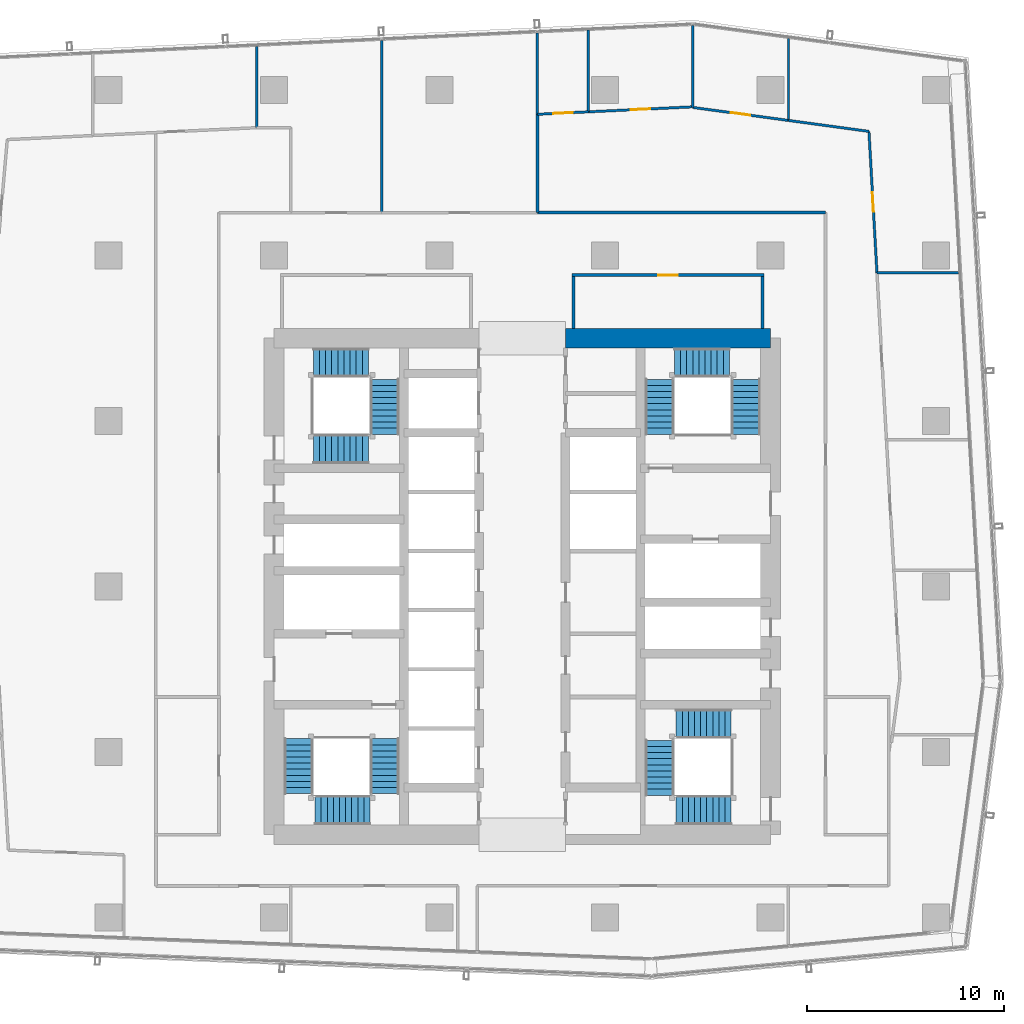
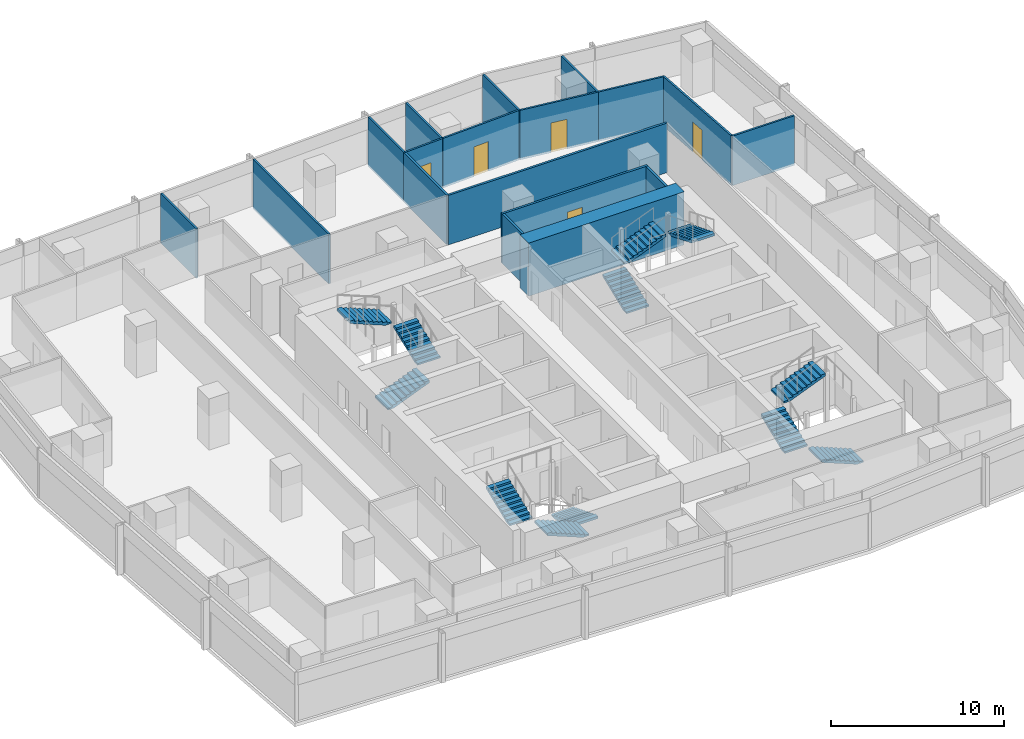
# One storey, part 30 of 38: 18 walls, 12 stair flights, 5 doors, 5 openings, 4 elements without a shape of their own.
"""IFC4 building model written with IfcOpenShell, lengths in metres."""

from ifc_helpers import new_model, si_unit, direction, frame, frame_2d, origin, place, context, subcontext, project, spatial, polyline, rectangle, outline, extrude, material, layer, layer_set, type_object, element, fill, aggregate, save


model = new_model("IFC4")

# Units and contexts
model_context = context("Model", 3, precision=1e-05, world=origin(), true_north=direction((0.0, 1.0)))
body_context = subcontext(model_context, "Body", "Model", "MODEL_VIEW")
ifc_project = project(units=[si_unit("LENGTHUNIT", "METRE"), si_unit("AREAUNIT", "SQUARE_METRE"), si_unit("VOLUMEUNIT", "CUBIC_METRE"), si_unit("PLANEANGLEUNIT", "RADIAN"), si_unit("MASSUNIT", "GRAM", prefix="KILO")], contexts=[model_context])

# Site, building, storey
site_placement = place(None, origin())
site = spatial("IfcSite", under=ifc_project, at=site_placement, CompositionType="ELEMENT")
building_placement = place(site_placement, origin())
building = spatial("IfcBuilding", under=site, at=building_placement, Name="Rekha Terrace Tower", CompositionType="ELEMENT")
storey_placement = place(building_placement, frame((0.0, 0.0, 198.949951171875)))
storey = spatial("IfcBuildingStorey", under=building, at=storey_placement, Name="L50", CompositionType="ELEMENT", Elevation=198.949951171875)

# Wall
ifc_material_1 = material(Name="Concrete M60", Category="concrete")
ifc_layer_1 = layer(ifc_material_1, 1.0)
ifc_layer_set_1 = layer_set([ifc_layer_1], Name="Concrete M60")
wall_type_1 = type_object("IfcWallType", Name="SW3 1000 core outer shear wall", PredefinedType="SHEAR", material=ifc_layer_set_1)
wall_1_placement = place(storey_placement, frame((40.0, 46.199951171875, 0.0), z_axis=(0.0, 0.0, 1.0), x_axis=(1.0, 0.0, 0.0)))
element("IfcWall", 1, at=wall_1_placement, inside=storey, type_object=wall_type_1, Name="Core wall N2 L50", PredefinedType="SHEAR", context=body_context, shape_type="SweptSolid", body=[
    extrude(rectangle(XDim=10.39990234375, YDim=1.0, at=frame_2d((5.199951171875, 0.0))), origin(), (0.0, 0.0, 1.0), 3.75),
])

# Wall, opening, door
ifc_material_2 = material(Name="Concrete block masonry, 1 hour", Category="masonry")
ifc_layer_2 = layer(ifc_material_2, 0.14990234375)
ifc_layer_set_2 = layer_set([ifc_layer_2], Name="Concrete block masonry, 1 hour")
wall_type_2 = type_object("IfcWallType", Name="WP2 150 tenancy partition", PredefinedType="PARTITIONING", material=ifc_layer_set_2)
wall_2_placement = place(storey_placement, frame((40.324951171875, 49.39990234375, 0.0), z_axis=(0.0, 0.0, 1.0), x_axis=(1.0, 0.0, 0.0)))
wall_2 = element("IfcWall", 2, at=wall_2_placement, inside=storey, type_object=wall_type_2, Name="Women's WC wall L50", PredefinedType="PARTITIONING", context=body_context, shape_type="SweptSolid", body=[
    extrude(rectangle(XDim=9.75, YDim=0.14990234375, at=frame_2d((4.875, 0.0))), origin(), (0.0, 0.0, 1.0), 3.5),
])
opening_1_placement = place(wall_2_placement, frame((4.375, 0.0, 0.0)))
opening_1 = element("IfcOpeningElement", 3, at=opening_1_placement, cuts=wall_2, Name="Opening D3", PredefinedType="OPENING", context=body_context, shape_type="SweptSolid", body=[
    extrude(rectangle(XDim=1.0, YDim=2.10009765625, at=frame_2d((0.5, 1.050048828125))), frame((0.0, 0.0849609375, 0.0), z_axis=(0.0, -1.0, 0.0), x_axis=(1.0, 0.0, 0.0)), (0.0, 0.0, 1.0), 0.169921875),
])
ifc_material_3 = material(Name="Laminated timber fire door", Category="wood")
door_type_1 = type_object("IfcDoorType", Name="D3 1000x2100 WC door", OperationType="SINGLE_SWING_LEFT", PredefinedType="DOOR", material=ifc_material_3)
door_1_placement = place(opening_1_placement, origin())
door_1 = element("IfcDoor", 4, at=door_1_placement, inside=storey, type_object=door_type_1, Name="Door women's wc L50", OperationType="SINGLE_SWING_LEFT", OverallHeight=2.10009765625, OverallWidth=1.0, PredefinedType="DOOR", context=body_context, shape_type="SweptSolid", body=[
    extrude(rectangle(XDim=1.0, YDim=2.10009765625, at=frame_2d((0.5, 1.050048828125))), frame((0.0, 0.02490234375, 0.0), z_axis=(0.0, -1.0, 0.0), x_axis=(1.0, 0.0, 0.0)), (0.0, 0.0, 1.0), 0.050048828125),
])
fill(opening_1, door_1)

# Walls
for number, where, z_axis, x_axis, name in (
    (5, (40.39990234375, 46.699951171875, 0.0), (0.0, 0.0, 1.0), (0.0, 1.0, 0.0), "Women's WC wall L50"),
    (6, (50.0, 46.699951171875, 0.0), (0.0, 0.0, 1.0), (0.0, 1.0, 0.0), "Women's WC wall L50"),
):
    element("IfcWall", number, at=place(storey_placement, frame(where, z_axis=z_axis, x_axis=x_axis)), inside=storey, type_object=wall_type_2, Name=name, PredefinedType="PARTITIONING", context=body_context, shape_type="SweptSolid", body=[
        extrude(rectangle(XDim=2.625, YDim=0.14990234375, at=frame_2d((1.3125, 0.0))), origin(), (0.0, 0.0, 1.0), 3.5),
    ])
wall_3_placement = place(storey_placement, frame((53.199951171875, 52.574951171875, 0.0), z_axis=(0.0, 0.0, 1.0), x_axis=(-1.0, 0.0, 0.0)))
element("IfcWall", 7, at=wall_3_placement, inside=storey, type_object=wall_type_2, Name="Partition L50-O1", PredefinedType="PARTITIONING", context=body_context, shape_type="SweptSolid", body=[
    extrude(rectangle(XDim=14.6298828125, YDim=0.14990234375, at=frame_2d((7.31494140625, 0.0))), origin(), (0.0, 0.0, 1.0), 3.5),
])
wall_4_placement = place(storey_placement, frame((38.570068359375, 52.574951171875, 0.0), z_axis=(0.0, 0.0, 1.0), x_axis=(0.0, 1.0, 0.0)))
element("IfcWall", 8, at=wall_4_placement, inside=storey, type_object=wall_type_2, Name="Partition L50-O1", PredefinedType="PARTITIONING", context=body_context, shape_type="SweptSolid", body=[
    extrude(rectangle(XDim=4.990966796875, YDim=0.14990234375, at=frame_2d((2.49560546875, 0.0))), origin(), (0.0, 0.0, 1.0), 3.5),
])
ifc_material_4 = material(Name="Two layers of fire-rated gypsum board each side on steel studs, acoustic quilt, 1 hour", Category="steel")
ifc_layer_3 = layer(ifc_material_4, 0.125)
ifc_layer_set_3 = layer_set([ifc_layer_3], Name="Two layers of fire-rated gypsum board each side on steel studs, acoustic quilt, 1 hour")
wall_type_3 = type_object("IfcWallType", Name="WP3 125 office partition", PredefinedType="PARTITIONING", material=ifc_layer_set_3)
wall_5_placement = place(storey_placement, frame((55.802001953125, 49.52001953125, 0.0), z_axis=(0.0, 0.0, 1.0), x_axis=(1.0, 0.0, 0.0)))
element("IfcWall", 9, at=wall_5_placement, inside=storey, type_object=wall_type_3, Name="Partition L50-05", PredefinedType="PARTITIONING", context=body_context, shape_type="SweptSolid", body=[
    extrude(rectangle(XDim=4.126953125, YDim=0.125, at=frame_2d((2.0634765625, 0.0))), origin(), (0.0, 0.0, 1.0), 3.5),
])
wall_6_placement = place(storey_placement, frame((51.31298828125, 57.2529296875, 0.0), z_axis=(0.0, 0.0, 1.0), x_axis=(0.0, 1.0, 0.0)))
element("IfcWall", 10, at=wall_6_placement, inside=storey, type_object=wall_type_3, Name="Partition L50-06", PredefinedType="PARTITIONING", context=body_context, shape_type="SweptSolid", body=[
    extrude(rectangle(XDim=4.157958984375, YDim=0.125, at=frame_2d((2.0791015625, 0.0))), origin(), (0.0, 0.0, 1.0), 3.5),
])

# Wall, opening, door
wall_7_placement = place(storey_placement, frame((55.802001953125, 49.52099609375, 0.0), z_axis=(0.0, 0.0, 1.0), x_axis=(-0.056623192548, 0.998395620015, 0.0)))
wall_7 = element("IfcWall", 11, at=wall_7_placement, inside=storey, type_object=wall_type_3, Name="Partition L50-06", PredefinedType="PARTITIONING", context=body_context, shape_type="SweptSolid", body=[
    extrude(rectangle(XDim=7.1875, YDim=0.125, at=frame_2d((3.59375, 0.0))), origin(), (0.0, 0.0, 1.0), 3.5),
])
opening_2_placement = place(wall_7_placement, frame((3.093994140625, 0.0, 0.0)))
opening_2 = element("IfcOpeningElement", 12, at=opening_2_placement, cuts=wall_7, Name="Opening D9", PredefinedType="OPENING", context=body_context, shape_type="SweptSolid", body=[
    extrude(rectangle(XDim=1.0, YDim=2.10009765625, at=frame_2d((0.5, 1.050048828125))), frame((0.0, 0.072509765625, 0.0), z_axis=(0.0, -1.0, 0.0), x_axis=(1.0, 0.0, 0.0)), (0.0, 0.0, 1.0), 0.14501953125),
])
ifc_material_5 = material(Name="Timber fire door", Category="wood")
door_type_2 = type_object("IfcDoorType", Name="D9 1000x2100 office door", OperationType="SINGLE_SWING_LEFT", PredefinedType="DOOR", material=ifc_material_5)
door_2_placement = place(opening_2_placement, origin())
door_2 = element("IfcDoor", 13, at=door_2_placement, inside=storey, type_object=door_type_2, Name="Door director's office L50", OperationType="SINGLE_SWING_LEFT", OverallHeight=2.10009765625, OverallWidth=1.0, PredefinedType="DOOR", context=body_context, shape_type="SweptSolid", body=[
    extrude(rectangle(XDim=1.0, YDim=2.10009765625, at=frame_2d((0.5, 1.050048828125))), frame((0.0, 0.02490234375, 0.0), z_axis=(0.0, -1.0, 0.0), x_axis=(1.0, 0.0, 0.0)), (0.0, 0.0, 1.0), 0.050048828125),
])
fill(opening_2, door_2)

# Wall
wall_8_placement = place(storey_placement, frame((55.39501953125, 56.697021484375, 0.0), z_axis=(0.0, 0.0, 1.0), x_axis=(-0.990853953476, 0.134938663401, 0.0)))
element("IfcWall", 14, at=wall_8_placement, inside=storey, type_object=wall_type_3, Name="Partition L50-06", PredefinedType="PARTITIONING", context=body_context, shape_type="SweptSolid", body=[
    extrude(rectangle(XDim=4.11962890625, YDim=0.125, at=frame_2d((2.059814453125, 0.0))), origin(), (0.0, 0.0, 1.0), 3.5),
])

# Wall, opening, door
wall_9_placement = place(storey_placement, frame((51.31201171875, 57.2529296875, 0.0), z_axis=(0.0, 0.0, 1.0), x_axis=(-0.990872766335, 0.134800448573, 0.0)))
wall_9 = element("IfcWall", 15, at=wall_9_placement, inside=storey, type_object=wall_type_3, Name="Partition L50-07", PredefinedType="PARTITIONING", context=body_context, shape_type="SweptSolid", body=[
    extrude(rectangle(XDim=4.911865234375, YDim=0.125, at=frame_2d((2.4560546875, 0.0))), origin(), (0.0, 0.0, 1.0), 3.5),
])
opening_3_placement = place(wall_9_placement, frame((1.9560546875, 0.0, 0.0)))
opening_3 = element("IfcOpeningElement", 16, at=opening_3_placement, cuts=wall_9, Name="Opening D9", PredefinedType="OPENING", context=body_context, shape_type="SweptSolid", body=[
    extrude(rectangle(XDim=1.0, YDim=2.10009765625, at=frame_2d((0.5, 1.050048828125))), frame((0.0, 0.072509765625, 0.0), z_axis=(0.0, -1.0, 0.0), x_axis=(1.0, 0.0, 0.0)), (0.0, 0.0, 1.0), 0.14501953125),
])
door_3_placement = place(opening_3_placement, origin())
door_3 = element("IfcDoor", 17, at=door_3_placement, inside=storey, type_object=door_type_2, Name="Door office L50", OperationType="SINGLE_SWING_LEFT", OverallHeight=2.10009765625, OverallWidth=1.0, PredefinedType="DOOR", context=body_context, shape_type="SweptSolid", body=[
    extrude(rectangle(XDim=1.0, YDim=2.10009765625, at=frame_2d((0.5, 1.050048828125))), frame((0.0, 0.02490234375, 0.0), z_axis=(0.0, -1.0, 0.0), x_axis=(1.0, 0.0, 0.0)), (0.0, 0.0, 1.0), 0.050048828125),
])
fill(opening_3, door_3)

# Walls
wall_10_placement = place(storey_placement, frame((46.445068359375, 57.922119140625, 0.0), z_axis=(0.0, 0.0, 1.0), x_axis=(0.0, 1.0, 0.0)))
element("IfcWall", 18, at=wall_10_placement, inside=storey, type_object=wall_type_3, Name="Partition L50-07", PredefinedType="PARTITIONING", context=body_context, shape_type="SweptSolid", body=[
    extrude(rectangle(XDim=4.144775390625, YDim=0.125, at=frame_2d((2.072265625, 0.0))), origin(), (0.0, 0.0, 1.0), 3.5),
])
wall_11_placement = place(storey_placement, frame((41.152099609375, 57.68994140625, 0.0), z_axis=(0.0, 0.0, 1.0), x_axis=(0.0, 1.0, 0.0)))
element("IfcWall", 19, at=wall_11_placement, inside=storey, type_object=wall_type_3, Name="Partition L50-08", PredefinedType="PARTITIONING", context=body_context, shape_type="SweptSolid", body=[
    extrude(rectangle(XDim=4.155029296875, YDim=0.125, at=frame_2d((2.07763671875, 0.0))), origin(), (0.0, 0.0, 1.0), 3.5),
])

# Wall, opening, door
wall_12_placement = place(storey_placement, frame((46.383056640625, 57.93994140625, 0.0), z_axis=(0.0, 0.0, 1.0), x_axis=(-0.998859895891, -0.047737913441, 0.0)))
wall_12 = element("IfcWall", 20, at=wall_12_placement, inside=storey, type_object=wall_type_3, Name="Partition L50-08", PredefinedType="PARTITIONING", context=body_context, shape_type="SweptSolid", body=[
    extrude(rectangle(XDim=5.23681640625, YDim=0.125, at=frame_2d((2.618408203125, 0.0))), origin(), (0.0, 0.0, 1.0), 3.5),
])
opening_4_placement = place(wall_12_placement, frame((2.087890625, 0.0, 0.0)))
opening_4 = element("IfcOpeningElement", 21, at=opening_4_placement, cuts=wall_12, Name="Opening D9", PredefinedType="OPENING", context=body_context, shape_type="SweptSolid", body=[
    extrude(rectangle(XDim=1.0, YDim=2.10009765625, at=frame_2d((0.5, 1.050048828125))), frame((0.0, 0.072509765625, 0.0), z_axis=(0.0, -1.0, 0.0), x_axis=(1.0, 0.0, 0.0)), (0.0, 0.0, 1.0), 0.14501953125),
])
door_4_placement = place(opening_4_placement, origin())
door_4 = element("IfcDoor", 22, at=door_4_placement, inside=storey, type_object=door_type_2, Name="Door office L50", OperationType="SINGLE_SWING_LEFT", OverallHeight=2.10009765625, OverallWidth=1.0, PredefinedType="DOOR", context=body_context, shape_type="SweptSolid", body=[
    extrude(rectangle(XDim=1.0, YDim=2.10009765625, at=frame_2d((0.5, 1.050048828125))), frame((0.0, 0.02490234375, 0.0), z_axis=(0.0, -1.0, 0.0), x_axis=(1.0, 0.0, 0.0)), (0.0, 0.0, 1.0), 0.050048828125),
])
fill(opening_4, door_4)

wall_13_placement = place(storey_placement, frame((41.15087890625, 57.68994140625, 0.0), z_axis=(0.0, 0.0, 1.0), x_axis=(-0.998847306444, -0.048000608426, 0.0)))
wall_13 = element("IfcWall", 23, at=wall_13_placement, inside=storey, type_object=wall_type_3, Name="Partition L50-09", PredefinedType="PARTITIONING", context=body_context, shape_type="SweptSolid", body=[
    extrude(rectangle(XDim=2.583740234375, YDim=0.125, at=frame_2d((1.2919921875, 0.0))), origin(), (0.0, 0.0, 1.0), 3.5),
])
opening_5_placement = place(wall_13_placement, frame((0.7919921875, 0.0, 0.0)))
opening_5 = element("IfcOpeningElement", 24, at=opening_5_placement, cuts=wall_13, Name="Opening D9", PredefinedType="OPENING", context=body_context, shape_type="SweptSolid", body=[
    extrude(rectangle(XDim=1.0, YDim=2.10009765625, at=frame_2d((0.5, 1.050048828125))), frame((0.0, 0.072509765625, 0.0), z_axis=(0.0, -1.0, 0.0), x_axis=(1.0, 0.0, 0.0)), (0.0, 0.0, 1.0), 0.14501953125),
])
door_5_placement = place(opening_5_placement, origin())
door_5 = element("IfcDoor", 25, at=door_5_placement, inside=storey, type_object=door_type_2, Name="Door office L50", OperationType="SINGLE_SWING_LEFT", OverallHeight=2.10009765625, OverallWidth=1.0, PredefinedType="DOOR", context=body_context, shape_type="SweptSolid", body=[
    extrude(rectangle(XDim=1.0, YDim=2.10009765625, at=frame_2d((0.5, 1.050048828125))), frame((0.0, 0.02490234375, 0.0), z_axis=(0.0, -1.0, 0.0), x_axis=(1.0, 0.0, 0.0)), (0.0, 0.0, 1.0), 0.050048828125),
])
fill(opening_5, door_5)

# Walls
wall_14_placement = place(storey_placement, frame((38.570068359375, 57.56591796875, 0.0), z_axis=(0.0, 0.0, 1.0), x_axis=(0.0, 1.0, 0.0)))
element("IfcWall", 26, at=wall_14_placement, inside=storey, type_object=wall_type_3, Name="Partition L50-09", PredefinedType="PARTITIONING", context=body_context, shape_type="SweptSolid", body=[
    extrude(rectangle(XDim=4.125, YDim=0.125, at=frame_2d((2.0625, 0.0))), origin(), (0.0, 0.0, 1.0), 3.5),
])
wall_15_placement = place(storey_placement, frame((30.660888671875, 61.31298828125, 0.0), z_axis=(0.0, 0.0, 1.0), x_axis=(0.0, -1.0, 0.0)))
element("IfcWall", 27, at=wall_15_placement, inside=storey, type_object=wall_type_3, Name="Partition L50-10", PredefinedType="PARTITIONING", context=body_context, shape_type="SweptSolid", body=[
    extrude(rectangle(XDim=8.738037109375, YDim=0.125, at=frame_2d((4.369140625, 0.0))), origin(), (0.0, 0.0, 1.0), 3.5),
])
wall_16_placement = place(storey_placement, frame((24.318115234375, 56.885009765625, 0.0), z_axis=(0.0, 0.0, 1.0), x_axis=(0.0, 1.0, 0.0)))
element("IfcWall", 28, at=wall_16_placement, inside=storey, type_object=wall_type_3, Name="Partition L50-10", PredefinedType="PARTITIONING", context=body_context, shape_type="SweptSolid", body=[
    extrude(rectangle(XDim=4.125, YDim=0.125, at=frame_2d((2.0625, 0.0))), origin(), (0.0, 0.0, 1.0), 3.5),
])

# Stair, stair flights
ifc_material_6 = material(Name="Concrete M40", Category="concrete")
stair_type = type_object("IfcStairType", Name="ST30 stair, 30 risers of 125, going 310, 1500 wide flights, 3 flights", PredefinedType="HALF_TURN_STAIR", material=ifc_material_6)
stair_1_placement = place(storey_placement, origin())
stair_1 = element("IfcStair", 29, at=stair_1_placement, inside=storey, type_object=stair_type, Name="Stair ST1 L50 to L51", PredefinedType="HALF_TURN_STAIR")
stair_flight_type = type_object("IfcStairFlightType", Name="SF10 stair flight, 10 risers of 125, going 310, 1500 wide", PredefinedType="STRAIGHT", material=ifc_material_6)
stair_flight_1_placement = place(storey_placement, frame((30.824951171875, 25.875, 0.0), z_axis=(0.0, 0.0, 1.0), x_axis=(0.0, -1.0, 0.0)))
stair_flight_1 = element("IfcStairFlight", 30, at=stair_flight_1_placement, type_object=stair_flight_type, Name="ST1 flight 1", NumberOfRisers=10, NumberOfTreads=9, PredefinedType="STRAIGHT", RiserHeight=0.125, TreadLength=0.31, context=body_context, shape_type="SweptSolid", body=[
    extrude(outline(polyline([(0.0, 0.0), (0.0, 0.125), (0.31005859375, 0.125), (0.31005859375, 0.25), (0.6201171875, 0.25), (0.6201171875, 0.375), (0.929931640625, 0.375), (0.929931640625, 0.5), (1.239990234375, 0.5), (1.239990234375, 0.625), (1.550048828125, 0.625), (1.550048828125, 0.75), (1.860107421875, 0.75), (1.860107421875, 0.875), (2.169921875, 0.875), (2.169921875, 1.0), (2.47998046875, 1.0), (2.47998046875, 1.125), (2.7900390625, 1.125), (2.7900390625, 1.25), (2.7900390625, 0.96337890625), (0.40087890625, 0.0), (0.0, 0.0)])), frame((0.0, 0.75, 0.0), z_axis=(0.0, -1.0, 0.0), x_axis=(1.0, 0.0, 0.0)), (0.0, 0.0, 1.0), 1.5),
])
stair_flight_2_placement = place(storey_placement, frame((30.074951171875, 22.25, 1.25), z_axis=(0.0, 0.0, 1.0), x_axis=(-1.0, 0.0, 0.0)))
stair_flight_2 = element("IfcStairFlight", 31, at=stair_flight_2_placement, type_object=stair_flight_type, Name="ST1 flight 2", NumberOfRisers=10, NumberOfTreads=9, PredefinedType="STRAIGHT", RiserHeight=0.125, TreadLength=0.31, context=body_context, shape_type="SweptSolid", body=[
    extrude(outline(polyline([(0.0, 0.0), (0.0, 0.125), (0.31005859375, 0.125), (0.31005859375, 0.25), (0.6201171875, 0.25), (0.6201171875, 0.375), (0.929931640625, 0.375), (0.929931640625, 0.5), (1.239990234375, 0.5), (1.239990234375, 0.625), (1.550048828125, 0.625), (1.550048828125, 0.75), (1.860107421875, 0.75), (1.860107421875, 0.875), (2.169921875, 0.875), (2.169921875, 1.0), (2.47998046875, 1.0), (2.47998046875, 1.125), (2.7900390625, 1.125), (2.7900390625, 1.25), (2.7900390625, 0.96337890625), (0.40087890625, 0.0), (0.0, 0.0)])), frame((0.0, 0.75, 0.0), z_axis=(0.0, -1.0, 0.0), x_axis=(1.0, 0.0, 0.0)), (0.0, 0.0, 1.0), 1.5),
])
stair_flight_3_placement = place(storey_placement, frame((26.449951171875, 23.0849609375, 2.5), z_axis=(0.0, 0.0, 1.0), x_axis=(0.0, 1.0, 0.0)))
stair_flight_3 = element("IfcStairFlight", 32, at=stair_flight_3_placement, type_object=stair_flight_type, Name="ST1 flight 3", NumberOfRisers=10, NumberOfTreads=9, PredefinedType="STRAIGHT", RiserHeight=0.125, TreadLength=0.31, context=body_context, shape_type="SweptSolid", body=[
    extrude(outline(polyline([(0.0, 0.0), (0.0, 0.125), (0.31005859375, 0.125), (0.31005859375, 0.25), (0.6201171875, 0.25), (0.6201171875, 0.375), (0.929931640625, 0.375), (0.929931640625, 0.5), (1.239990234375, 0.5), (1.239990234375, 0.625), (1.550048828125, 0.625), (1.550048828125, 0.75), (1.860107421875, 0.75), (1.860107421875, 0.875), (2.169921875, 0.875), (2.169921875, 1.0), (2.47998046875, 1.0), (2.47998046875, 1.125), (2.7900390625, 1.125), (2.7900390625, 1.25), (2.7900390625, 0.96337890625), (0.40087890625, 0.0), (0.0, 0.0)])), frame((0.0, 0.75, 0.0), z_axis=(0.0, -1.0, 0.0), x_axis=(1.0, 0.0, 0.0)), (0.0, 0.0, 1.0), 1.5),
])
aggregate(stair_1, [stair_flight_1, stair_flight_2, stair_flight_3])

stair_2_placement = place(storey_placement, origin())
stair_2 = element("IfcStair", 33, at=stair_2_placement, inside=storey, type_object=stair_type, Name="Stair ST2 L50 to L51", PredefinedType="HALF_TURN_STAIR")
stair_flight_4_placement = place(storey_placement, frame((44.77490234375, 41.324951171875, 0.0), z_axis=(0.0, 0.0, 1.0), x_axis=(0.0, 1.0, 0.0)))
stair_flight_4 = element("IfcStairFlight", 34, at=stair_flight_4_placement, type_object=stair_flight_type, Name="ST2 flight 1", NumberOfRisers=10, NumberOfTreads=9, PredefinedType="STRAIGHT", RiserHeight=0.125, TreadLength=0.31, context=body_context, shape_type="SweptSolid", body=[
    extrude(outline(polyline([(0.0, 0.0), (0.0, 0.125), (0.31005859375, 0.125), (0.31005859375, 0.25), (0.6201171875, 0.25), (0.6201171875, 0.375), (0.929931640625, 0.375), (0.929931640625, 0.5), (1.239990234375, 0.5), (1.239990234375, 0.625), (1.550048828125, 0.625), (1.550048828125, 0.75), (1.860107421875, 0.75), (1.860107421875, 0.875), (2.169921875, 0.875), (2.169921875, 1.0), (2.47998046875, 1.0), (2.47998046875, 1.125), (2.7900390625, 1.125), (2.7900390625, 1.25), (2.7900390625, 0.96337890625), (0.40087890625, 0.0), (0.0, 0.0)])), frame((0.0, 0.75, 0.0), z_axis=(0.0, -1.0, 0.0), x_axis=(1.0, 0.0, 0.0)), (0.0, 0.0, 1.0), 1.5),
])
stair_flight_5_placement = place(storey_placement, frame((45.52490234375, 44.949951171875, 1.25), z_axis=(0.0, 0.0, 1.0), x_axis=(1.0, 0.0, 0.0)))
stair_flight_5 = element("IfcStairFlight", 35, at=stair_flight_5_placement, type_object=stair_flight_type, Name="ST2 flight 2", NumberOfRisers=10, NumberOfTreads=9, PredefinedType="STRAIGHT", RiserHeight=0.125, TreadLength=0.31, context=body_context, shape_type="SweptSolid", body=[
    extrude(outline(polyline([(0.0, 0.0), (0.0, 0.125), (0.31005859375, 0.125), (0.31005859375, 0.25), (0.6201171875, 0.25), (0.6201171875, 0.375), (0.929931640625, 0.375), (0.929931640625, 0.5), (1.239990234375, 0.5), (1.239990234375, 0.625), (1.550048828125, 0.625), (1.550048828125, 0.75), (1.860107421875, 0.75), (1.860107421875, 0.875), (2.169921875, 0.875), (2.169921875, 1.0), (2.47998046875, 1.0), (2.47998046875, 1.125), (2.7900390625, 1.125), (2.7900390625, 1.25), (2.7900390625, 0.96337890625), (0.40087890625, 0.0), (0.0, 0.0)])), frame((0.0, 0.75, 0.0), z_axis=(0.0, -1.0, 0.0), x_axis=(1.0, 0.0, 0.0)), (0.0, 0.0, 1.0), 1.5),
])
stair_flight_6_placement = place(storey_placement, frame((49.14990234375, 44.114990234375, 2.5), z_axis=(0.0, 0.0, 1.0), x_axis=(0.0, -1.0, 0.0)))
stair_flight_6 = element("IfcStairFlight", 36, at=stair_flight_6_placement, type_object=stair_flight_type, Name="ST2 flight 3", NumberOfRisers=10, NumberOfTreads=9, PredefinedType="STRAIGHT", RiserHeight=0.125, TreadLength=0.31, context=body_context, shape_type="SweptSolid", body=[
    extrude(outline(polyline([(0.0, 0.0), (0.0, 0.125), (0.31005859375, 0.125), (0.31005859375, 0.25), (0.6201171875, 0.25), (0.6201171875, 0.375), (0.929931640625, 0.375), (0.929931640625, 0.5), (1.239990234375, 0.5), (1.239990234375, 0.625), (1.550048828125, 0.625), (1.550048828125, 0.75), (1.860107421875, 0.75), (1.860107421875, 0.875), (2.169921875, 0.875), (2.169921875, 1.0), (2.47998046875, 1.0), (2.47998046875, 1.125), (2.7900390625, 1.125), (2.7900390625, 1.25), (2.7900390625, 0.96337890625), (0.40087890625, 0.0), (0.0, 0.0)])), frame((0.0, 0.75, 0.0), z_axis=(0.0, -1.0, 0.0), x_axis=(1.0, 0.0, 0.0)), (0.0, 0.0, 1.0), 1.5),
])
aggregate(stair_2, [stair_flight_4, stair_flight_5, stair_flight_6])

stair_3_placement = place(storey_placement, origin())
stair_3 = element("IfcStair", 37, at=stair_3_placement, inside=storey, type_object=stair_type, Name="Stair ST3 L50 to L51", PredefinedType="HALF_TURN_STAIR")
stair_flight_7_placement = place(storey_placement, frame((48.39990234375, 22.25, 0.0), z_axis=(0.0, 0.0, 1.0), x_axis=(-1.0, 0.0, 0.0)))
stair_flight_7 = element("IfcStairFlight", 38, at=stair_flight_7_placement, type_object=stair_flight_type, Name="ST3 flight 1", NumberOfRisers=10, NumberOfTreads=9, PredefinedType="STRAIGHT", RiserHeight=0.125, TreadLength=0.31, context=body_context, shape_type="SweptSolid", body=[
    extrude(outline(polyline([(0.0, 0.0), (0.0, 0.125), (0.31005859375, 0.125), (0.31005859375, 0.25), (0.6201171875, 0.25), (0.6201171875, 0.375), (0.929931640625, 0.375), (0.929931640625, 0.5), (1.239990234375, 0.5), (1.239990234375, 0.625), (1.550048828125, 0.625), (1.550048828125, 0.75), (1.860107421875, 0.75), (1.860107421875, 0.875), (2.169921875, 0.875), (2.169921875, 1.0), (2.47998046875, 1.0), (2.47998046875, 1.125), (2.7900390625, 1.125), (2.7900390625, 1.25), (2.7900390625, 0.96337890625), (0.40087890625, 0.0), (0.0, 0.0)])), frame((0.0, 0.75, 0.0), z_axis=(0.0, -1.0, 0.0), x_axis=(1.0, 0.0, 0.0)), (0.0, 0.0, 1.0), 1.5),
])
stair_flight_8_placement = place(storey_placement, frame((44.77490234375, 23.0, 1.25), z_axis=(0.0, 0.0, 1.0), x_axis=(0.0, 1.0, 0.0)))
stair_flight_8 = element("IfcStairFlight", 39, at=stair_flight_8_placement, type_object=stair_flight_type, Name="ST3 flight 2", NumberOfRisers=10, NumberOfTreads=9, PredefinedType="STRAIGHT", RiserHeight=0.125, TreadLength=0.31, context=body_context, shape_type="SweptSolid", body=[
    extrude(outline(polyline([(0.0, 0.0), (0.0, 0.125), (0.31005859375, 0.125), (0.31005859375, 0.25), (0.6201171875, 0.25), (0.6201171875, 0.375), (0.929931640625, 0.375), (0.929931640625, 0.5), (1.239990234375, 0.5), (1.239990234375, 0.625), (1.550048828125, 0.625), (1.550048828125, 0.75), (1.860107421875, 0.75), (1.860107421875, 0.875), (2.169921875, 0.875), (2.169921875, 1.0), (2.47998046875, 1.0), (2.47998046875, 1.125), (2.7900390625, 1.125), (2.7900390625, 1.25), (2.7900390625, 0.96337890625), (0.40087890625, 0.0), (0.0, 0.0)])), frame((0.0, 0.75, 0.0), z_axis=(0.0, -1.0, 0.0), x_axis=(1.0, 0.0, 0.0)), (0.0, 0.0, 1.0), 1.5),
])
stair_flight_9_placement = place(storey_placement, frame((45.610107421875, 26.625, 2.5), z_axis=(0.0, 0.0, 1.0), x_axis=(1.0, 0.0, 0.0)))
stair_flight_9 = element("IfcStairFlight", 40, at=stair_flight_9_placement, type_object=stair_flight_type, Name="ST3 flight 3", NumberOfRisers=10, NumberOfTreads=9, PredefinedType="STRAIGHT", RiserHeight=0.125, TreadLength=0.31, context=body_context, shape_type="SweptSolid", body=[
    extrude(outline(polyline([(0.0, 0.0), (0.0, 0.125), (0.31005859375, 0.125), (0.31005859375, 0.25), (0.6201171875, 0.25), (0.6201171875, 0.375), (0.929931640625, 0.375), (0.929931640625, 0.5), (1.239990234375, 0.5), (1.239990234375, 0.625), (1.550048828125, 0.625), (1.550048828125, 0.75), (1.860107421875, 0.75), (1.860107421875, 0.875), (2.169921875, 0.875), (2.169921875, 1.0), (2.47998046875, 1.0), (2.47998046875, 1.125), (2.7900390625, 1.125), (2.7900390625, 1.25), (2.7900390625, 0.96337890625), (0.40087890625, 0.0), (0.0, 0.0)])), frame((0.0, 0.75, 0.0), z_axis=(0.0, -1.0, 0.0), x_axis=(1.0, 0.0, 0.0)), (0.0, 0.0, 1.0), 1.5),
])
aggregate(stair_3, [stair_flight_7, stair_flight_8, stair_flight_9])

stair_4_placement = place(storey_placement, origin())
stair_4 = element("IfcStair", 41, at=stair_4_placement, inside=storey, type_object=stair_type, Name="Stair ST4 L50 to L51", PredefinedType="HALF_TURN_STAIR")
stair_flight_10_placement = place(storey_placement, frame((27.199951171875, 40.574951171875, 0.0), z_axis=(0.0, 0.0, 1.0), x_axis=(1.0, 0.0, 0.0)))
stair_flight_10 = element("IfcStairFlight", 42, at=stair_flight_10_placement, type_object=stair_flight_type, Name="ST4 flight 1", NumberOfRisers=10, NumberOfTreads=9, PredefinedType="STRAIGHT", RiserHeight=0.125, TreadLength=0.31, context=body_context, shape_type="SweptSolid", body=[
    extrude(outline(polyline([(0.0, 0.0), (0.0, 0.125), (0.31005859375, 0.125), (0.31005859375, 0.25), (0.6201171875, 0.25), (0.6201171875, 0.375), (0.929931640625, 0.375), (0.929931640625, 0.5), (1.239990234375, 0.5), (1.239990234375, 0.625), (1.550048828125, 0.625), (1.550048828125, 0.75), (1.860107421875, 0.75), (1.860107421875, 0.875), (2.169921875, 0.875), (2.169921875, 1.0), (2.47998046875, 1.0), (2.47998046875, 1.125), (2.7900390625, 1.125), (2.7900390625, 1.25), (2.7900390625, 0.96337890625), (0.40087890625, 0.0), (0.0, 0.0)])), frame((0.0, 0.75, 0.0), z_axis=(0.0, -1.0, 0.0), x_axis=(1.0, 0.0, 0.0)), (0.0, 0.0, 1.0), 1.5),
])
stair_flight_11_placement = place(storey_placement, frame((30.824951171875, 41.324951171875, 1.25), z_axis=(0.0, 0.0, 1.0), x_axis=(0.0, 1.0, 0.0)))
stair_flight_11 = element("IfcStairFlight", 43, at=stair_flight_11_placement, type_object=stair_flight_type, Name="ST4 flight 2", NumberOfRisers=10, NumberOfTreads=9, PredefinedType="STRAIGHT", RiserHeight=0.125, TreadLength=0.31, context=body_context, shape_type="SweptSolid", body=[
    extrude(outline(polyline([(0.0, 0.0), (0.0, 0.125), (0.31005859375, 0.125), (0.31005859375, 0.25), (0.6201171875, 0.25), (0.6201171875, 0.375), (0.929931640625, 0.375), (0.929931640625, 0.5), (1.239990234375, 0.5), (1.239990234375, 0.625), (1.550048828125, 0.625), (1.550048828125, 0.75), (1.860107421875, 0.75), (1.860107421875, 0.875), (2.169921875, 0.875), (2.169921875, 1.0), (2.47998046875, 1.0), (2.47998046875, 1.125), (2.7900390625, 1.125), (2.7900390625, 1.25), (2.7900390625, 0.96337890625), (0.40087890625, 0.0), (0.0, 0.0)])), frame((0.0, 0.75, 0.0), z_axis=(0.0, -1.0, 0.0), x_axis=(1.0, 0.0, 0.0)), (0.0, 0.0, 1.0), 1.5),
])
stair_flight_12_placement = place(storey_placement, frame((29.989990234375, 44.949951171875, 2.5), z_axis=(0.0, 0.0, 1.0), x_axis=(-1.0, 0.0, 0.0)))
stair_flight_12 = element("IfcStairFlight", 44, at=stair_flight_12_placement, type_object=stair_flight_type, Name="ST4 flight 3", NumberOfRisers=10, NumberOfTreads=9, PredefinedType="STRAIGHT", RiserHeight=0.125, TreadLength=0.31, context=body_context, shape_type="SweptSolid", body=[
    extrude(outline(polyline([(0.0, 0.0), (0.0, 0.125), (0.31005859375, 0.125), (0.31005859375, 0.25), (0.6201171875, 0.25), (0.6201171875, 0.375), (0.929931640625, 0.375), (0.929931640625, 0.5), (1.239990234375, 0.5), (1.239990234375, 0.625), (1.550048828125, 0.625), (1.550048828125, 0.75), (1.860107421875, 0.75), (1.860107421875, 0.875), (2.169921875, 0.875), (2.169921875, 1.0), (2.47998046875, 1.0), (2.47998046875, 1.125), (2.7900390625, 1.125), (2.7900390625, 1.25), (2.7900390625, 0.96337890625), (0.40087890625, 0.0), (0.0, 0.0)])), frame((0.0, 0.75, 0.0), z_axis=(0.0, -1.0, 0.0), x_axis=(1.0, 0.0, 0.0)), (0.0, 0.0, 1.0), 1.5),
])
aggregate(stair_4, [stair_flight_10, stair_flight_11, stair_flight_12])

save(model, "model.ifc")
